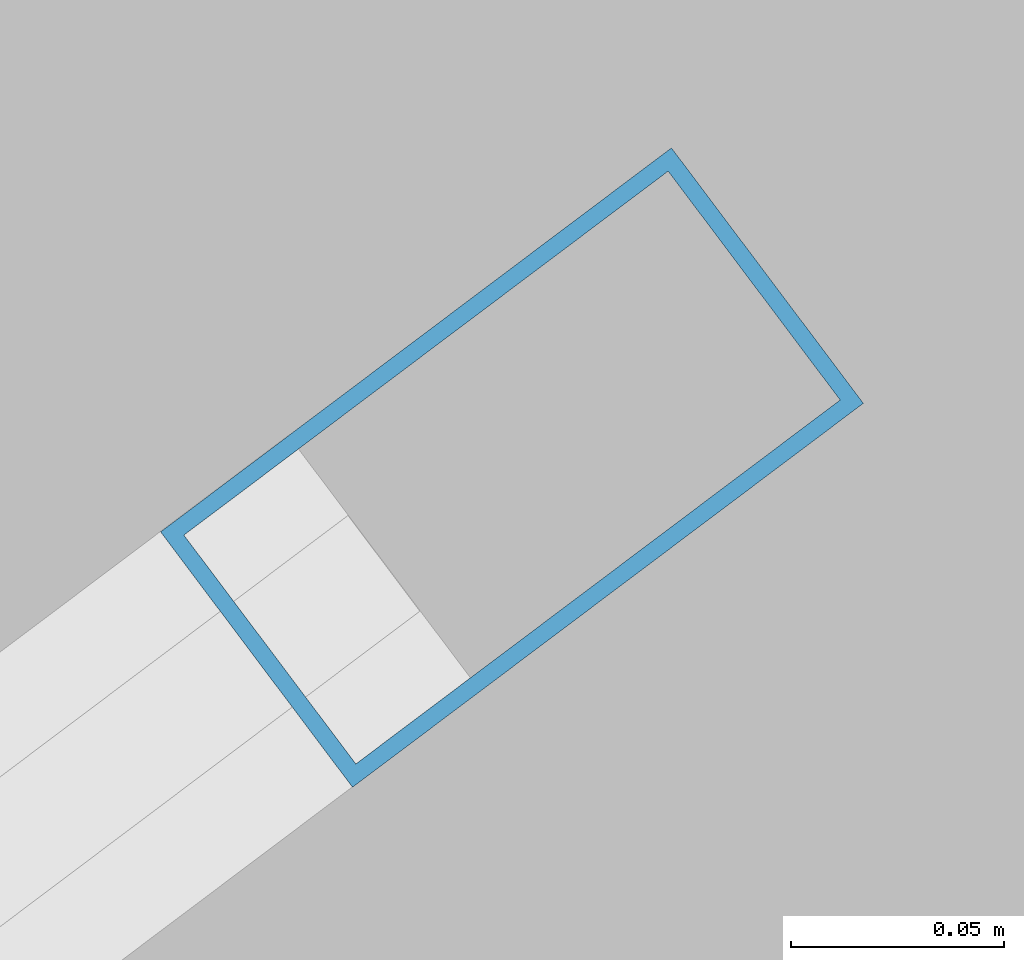
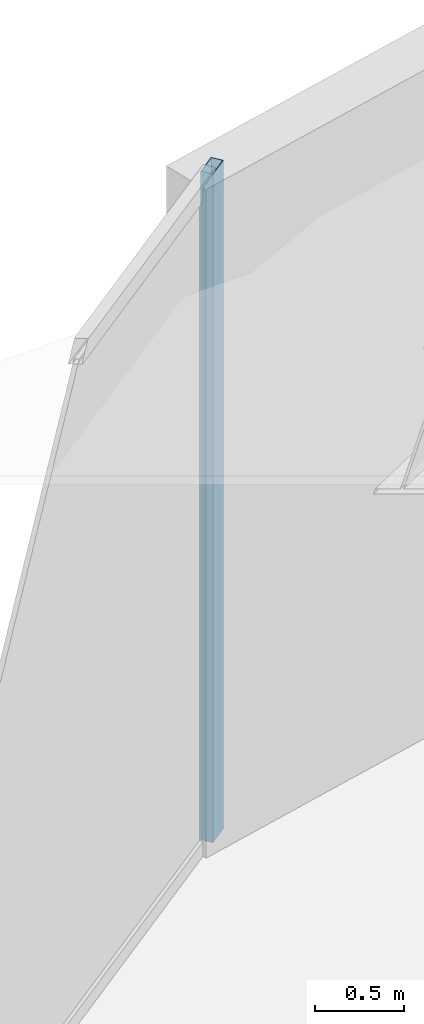
# One storey, part 18 of 30: 1 member, 1 element without a shape of its own.
"""IFC4 building model written with IfcOpenShell, lengths in metres."""

from ifc_helpers import new_model, si_unit, direction, frame, origin, origin_2d, place, context, subcontext, project, spatial, hollow_rectangle, extrude, material, layer, layer_set, material_profile, profile_set, type_object, element, aggregate, save


model = new_model("IFC4")

# Units and contexts
model_context = context("Model", 3, precision=1e-05, world=origin(), true_north=direction((0.0, 1.0)))
body_context = subcontext(model_context, "Body", "Model", "MODEL_VIEW")
ifc_project = project(units=[si_unit("LENGTHUNIT", "METRE"), si_unit("AREAUNIT", "SQUARE_METRE"), si_unit("VOLUMEUNIT", "CUBIC_METRE"), si_unit("PLANEANGLEUNIT", "RADIAN"), si_unit("MASSUNIT", "GRAM", prefix="KILO")], contexts=[model_context])

# Site, building, storey
site_placement = place(None, origin())
site = spatial("IfcSite", under=ifc_project, at=site_placement, CompositionType="ELEMENT")
building_placement = place(site_placement, origin())
building = spatial("IfcBuilding", under=site, at=building_placement, Name="Kazevale Care Tower and Concert Hall", CompositionType="ELEMENT")
storey_placement = place(building_placement, frame((0.0, 0.0, 97.800048828125)))
storey = spatial("IfcBuildingStorey", under=building, at=storey_placement, Name="L25", CompositionType="ELEMENT", Elevation=97.800048828125)

# Curtain wall, member
ifc_material_1 = material(Name="Aluminium 6063-T6 and Low-E Glass", Category="aluminium")
ifc_layer = layer(ifc_material_1, 0.179931640625)
ifc_layer_set = layer_set([ifc_layer], Name="Aluminium 6063-T6 and Low-E Glass")
curtain_wall_type = type_object("IfcCurtainWallType", Name="Convex Recessed Sunroom Curtain Wall CW-3", PredefinedType="NOTDEFINED", material=ifc_layer_set)
curtain_wall_placement = place(storey_placement, origin())
curtain_wall = element("IfcCurtainWall", 1, at=curtain_wall_placement, inside=storey, type_object=curtain_wall_type, Name="cw:L25:f14", PredefinedType="NOTDEFINED")
ifc_material_2 = material(Name="Aluminium 6063-T6", Category="aluminium")
ifc_material_profile = material_profile(ifc_material_2, hollow_rectangle(XDim=0.074951171875, YDim=0.14990234375, WallThickness=0.00390625, at=origin_2d()), Name="ALU75x150x4")
ifc_profile_set = profile_set([ifc_material_profile], Name="Aluminium 6063-T6")
member_type = type_object("IfcMemberType", Name="CW-3 Mullion ALU75x150x4", PredefinedType="MULLION", material=ifc_profile_set)
member_placement = place(storey_placement, frame((29.157958984375, 59.136474609375, 0.0), z_axis=(0.0, 0.0, 1.0), x_axis=(-0.600797902474, 0.799400950952, 0.0)))
member = element("IfcMember", 2, at=member_placement, type_object=member_type, Name="CW-3 mullion 2", PredefinedType="MULLION", context=body_context, shape_type="SweptSolid", body=[
    extrude(hollow_rectangle(XDim=0.074951171875, YDim=0.14990234375, WallThickness=0.00390625, at=origin_2d()), origin(), (0.0, 0.0, 1.0), 4.56005859375),
])
aggregate(curtain_wall, [member])

save(model, "model.ifc")
